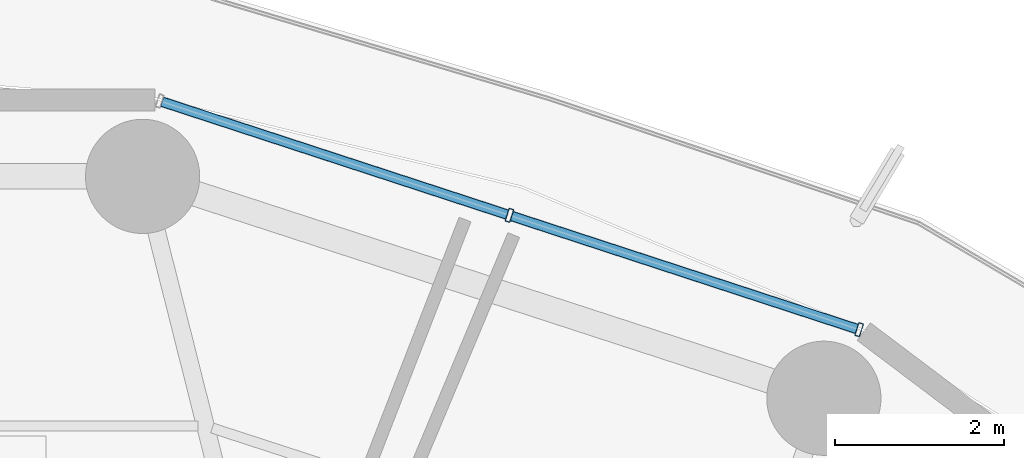
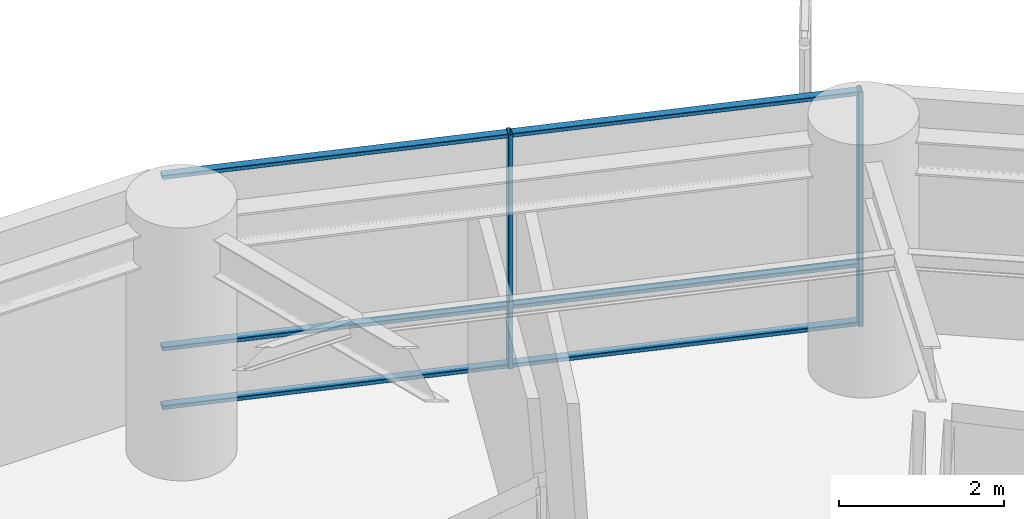
# One storey, part 25 of 37: 8 members, 1 element without a shape of its own.
"""IFC4 building model written with IfcOpenShell, lengths in metres."""

from ifc_helpers import new_model, si_unit, direction, frame, origin, origin_2d, place, context, subcontext, project, spatial, hollow_rectangle, extrude, material, layer, layer_set, material_profile, profile_set, type_object, element, aggregate, save


model = new_model("IFC4")

# Units and contexts
model_context = context("Model", 3, precision=1e-05, world=origin(), true_north=direction((0.0, 1.0)))
body_context = subcontext(model_context, "Body", "Model", "MODEL_VIEW")
ifc_project = project(units=[si_unit("LENGTHUNIT", "METRE"), si_unit("AREAUNIT", "SQUARE_METRE"), si_unit("VOLUMEUNIT", "CUBIC_METRE"), si_unit("PLANEANGLEUNIT", "RADIAN"), si_unit("MASSUNIT", "GRAM", prefix="KILO")], contexts=[model_context])

# Site, building, storey
site_placement = place(None, origin())
site = spatial("IfcSite", under=ifc_project, at=site_placement, CompositionType="ELEMENT")
building_placement = place(site_placement, origin())
building = spatial("IfcBuilding", under=site, at=building_placement, Name="Kelanora Arch Commons", CompositionType="ELEMENT")
storey_placement = place(building_placement, frame((0.0, 0.0, 113.85009765625)))
storey = spatial("IfcBuildingStorey", under=building, at=storey_placement, Name="L29", CompositionType="ELEMENT", Elevation=113.85009765625)

# Curtain wall, members
ifc_material_1 = material(Name="Terracotta ceramic-fritted low-E glass and aluminium", Category="masonry")
ifc_layer = layer(ifc_material_1, 0.159912109375)
ifc_layer_set = layer_set([ifc_layer], Name="Terracotta ceramic-fritted low-E glass and aluminium")
curtain_wall_type = type_object("IfcCurtainWallType", Name="CW-SYS-01", PredefinedType="NOTDEFINED", material=ifc_layer_set)
curtain_wall_placement = place(storey_placement, origin())
curtain_wall = element("IfcCurtainWall", 1, at=curtain_wall_placement, inside=storey, type_object=curtain_wall_type, Name="Unitised Curtain Wall L29-B03", PredefinedType="NOTDEFINED")
ifc_material_2 = material(Name="Powder-coated aluminium terracotta", Category="masonry")
ifc_material_profile_1 = material_profile(ifc_material_2, hollow_rectangle(XDim=0.159912109375, YDim=0.06005859375, WallThickness=0.0048828125, InnerFilletRadius=0.0048828125, OuterFilletRadius=0.010009765625, at=origin_2d()), Name="CWM160x60")
ifc_profile_set_1 = profile_set([ifc_material_profile_1], Name="Powder-coated aluminium terracotta")
member_type_1 = type_object("IfcMemberType", Name="CWM-STD", PredefinedType="MULLION", material=ifc_profile_set_1)
member_1_placement = place(storey_placement, frame((86.757080078125, 77.9326171875, 0.0), z_axis=(0.0, 0.0, 1.0), x_axis=(-0.31080470294, -0.950473795867, 0.0)))
member_1 = element("IfcMember", 2, at=member_1_placement, type_object=member_type_1, Name="CW-01 mullion 1", PredefinedType="MULLION", context=body_context, shape_type="SweptSolid", body=[
    extrude(hollow_rectangle(XDim=0.159912109375, YDim=0.06005859375, WallThickness=0.0048828125, InnerFilletRadius=0.0048828125, OuterFilletRadius=0.010009765625, at=origin_2d()), origin(), (0.0, 0.0, 1.0), 3.474853515625),
])
member_2_placement = place(storey_placement, frame((82.622802734375, 79.28466796875, 0.0), z_axis=(0.0, 0.0, 1.0), x_axis=(-0.31080470294, -0.950473795867, 0.0)))
member_2 = element("IfcMember", 3, at=member_2_placement, type_object=member_type_1, Name="CW-01 mullion 2", PredefinedType="MULLION", context=body_context, shape_type="SweptSolid", body=[
    extrude(hollow_rectangle(XDim=0.159912109375, YDim=0.06005859375, WallThickness=0.0048828125, InnerFilletRadius=0.0048828125, OuterFilletRadius=0.010009765625, at=origin_2d()), origin(), (0.0, 0.0, 1.0), 3.474853515625),
])
ifc_material_profile_2 = material_profile(ifc_material_2, hollow_rectangle(XDim=0.1201171875, YDim=0.06005859375, WallThickness=0.0048828125, InnerFilletRadius=0.0048828125, OuterFilletRadius=0.010009765625, at=origin_2d()), Name="CWT120x60")
ifc_profile_set_2 = profile_set([ifc_material_profile_2], Name="Powder-coated aluminium terracotta")
member_type_2 = type_object("IfcMemberType", Name="CWT-STD", PredefinedType="USERDEFINED", material=ifc_profile_set_2)
member_3_placement = place(storey_placement, frame((86.728759765625, 77.94189453125, 0.02978515625), z_axis=(-0.950466230394, 0.310827838008, 0.0), x_axis=(-0.310827838008, -0.950466230394, 0.0)))
member_3 = element("IfcMember", 4, at=member_3_placement, type_object=member_type_2, Name="CW-01 transom 1.1", ObjectType="TRANSOM", PredefinedType="USERDEFINED", context=body_context, shape_type="SweptSolid", body=[
    extrude(hollow_rectangle(XDim=0.1201171875, YDim=0.06005859375, WallThickness=0.0048828125, InnerFilletRadius=0.0048828125, OuterFilletRadius=0.010009765625, at=origin_2d()), origin(), (0.0, 0.0, 1.0), 4.2900390625),
])
member_4_placement = place(storey_placement, frame((86.728759765625, 77.94189453125, 0.89990234375), z_axis=(-0.950466230394, 0.310827838008, 0.0), x_axis=(-0.310827838008, -0.950466230394, 0.0)))
member_4 = element("IfcMember", 5, at=member_4_placement, type_object=member_type_2, Name="CW-01 transom 1.2", ObjectType="TRANSOM", PredefinedType="USERDEFINED", context=body_context, shape_type="SweptSolid", body=[
    extrude(hollow_rectangle(XDim=0.1201171875, YDim=0.06005859375, WallThickness=0.0048828125, InnerFilletRadius=0.0048828125, OuterFilletRadius=0.010009765625, at=origin_2d()), origin(), (0.0, 0.0, 1.0), 4.2900390625),
])
member_5_placement = place(storey_placement, frame((86.728759765625, 77.94189453125, 3.44482421875), z_axis=(-0.950466230394, 0.310827838008, 0.0), x_axis=(-0.310827838008, -0.950466230394, 0.0)))
member_5 = element("IfcMember", 6, at=member_5_placement, type_object=member_type_2, Name="CW-01 transom 1.3", ObjectType="TRANSOM", PredefinedType="USERDEFINED", context=body_context, shape_type="SweptSolid", body=[
    extrude(hollow_rectangle(XDim=0.1201171875, YDim=0.06005859375, WallThickness=0.0048828125, InnerFilletRadius=0.0048828125, OuterFilletRadius=0.010009765625, at=origin_2d()), origin(), (0.0, 0.0, 1.0), 4.2900390625),
])
member_6_placement = place(storey_placement, frame((82.59423828125, 79.2939453125, 0.02978515625), z_axis=(-0.950477544745, 0.31079323824, 0.0), x_axis=(-0.31079323824, -0.950477544745, 0.0)))
member_6 = element("IfcMember", 7, at=member_6_placement, type_object=member_type_2, Name="CW-01 transom 2.1", ObjectType="TRANSOM", PredefinedType="USERDEFINED", context=body_context, shape_type="SweptSolid", body=[
    extrude(hollow_rectangle(XDim=0.1201171875, YDim=0.06005859375, WallThickness=0.0048828125, InnerFilletRadius=0.0048828125, OuterFilletRadius=0.010009765625, at=origin_2d()), origin(), (0.0, 0.0, 1.0), 4.289794921875),
])
member_7_placement = place(storey_placement, frame((82.59423828125, 79.2939453125, 0.89990234375), z_axis=(-0.950477544745, 0.31079323824, 0.0), x_axis=(-0.31079323824, -0.950477544745, 0.0)))
member_7 = element("IfcMember", 8, at=member_7_placement, type_object=member_type_2, Name="CW-01 transom 2.2", ObjectType="TRANSOM", PredefinedType="USERDEFINED", context=body_context, shape_type="SweptSolid", body=[
    extrude(hollow_rectangle(XDim=0.1201171875, YDim=0.06005859375, WallThickness=0.0048828125, InnerFilletRadius=0.0048828125, OuterFilletRadius=0.010009765625, at=origin_2d()), origin(), (0.0, 0.0, 1.0), 4.289794921875),
])
member_8_placement = place(storey_placement, frame((82.59423828125, 79.2939453125, 3.44482421875), z_axis=(-0.950477544745, 0.31079323824, 0.0), x_axis=(-0.31079323824, -0.950477544745, 0.0)))
member_8 = element("IfcMember", 9, at=member_8_placement, type_object=member_type_2, Name="CW-01 transom 2.3", ObjectType="TRANSOM", PredefinedType="USERDEFINED", context=body_context, shape_type="SweptSolid", body=[
    extrude(hollow_rectangle(XDim=0.1201171875, YDim=0.06005859375, WallThickness=0.0048828125, InnerFilletRadius=0.0048828125, OuterFilletRadius=0.010009765625, at=origin_2d()), origin(), (0.0, 0.0, 1.0), 4.289794921875),
])
aggregate(curtain_wall, [member_1, member_2, member_3, member_4, member_5, member_6, member_7, member_8])

save(model, "model.ifc")
